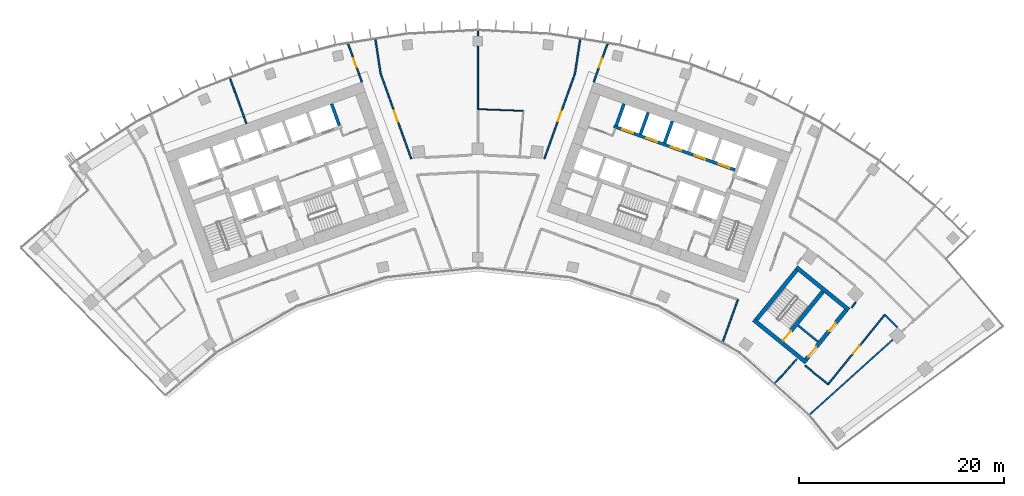
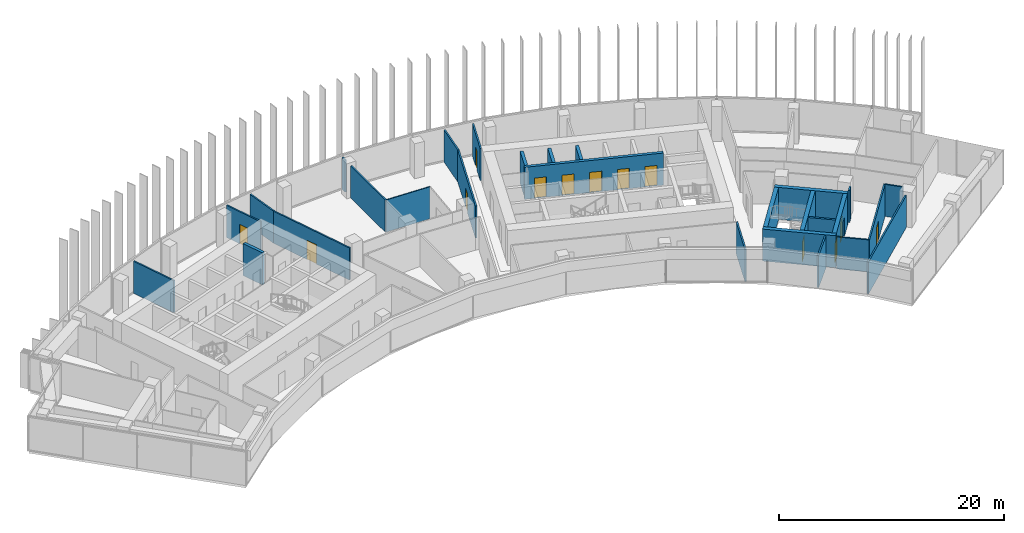
# One storey, part 16 of 19: 28 walls, 13 doors, 13 openings.
"""IFC4 building model written with IfcOpenShell, lengths in metres."""

from ifc_helpers import new_model, si_unit, direction, frame, frame_2d, origin, place, context, subcontext, project, spatial, rectangle, extrude, material, layer, layer_set, type_object, element, fill, save


model = new_model("IFC4")

# Units and contexts
model_context = context("Model", 3, precision=1e-05, world=origin(), true_north=direction((0.0, 1.0)))
body_context = subcontext(model_context, "Body", "Model", "MODEL_VIEW")
ifc_project = project(units=[si_unit("LENGTHUNIT", "METRE"), si_unit("AREAUNIT", "SQUARE_METRE"), si_unit("VOLUMEUNIT", "CUBIC_METRE"), si_unit("PLANEANGLEUNIT", "RADIAN"), si_unit("MASSUNIT", "GRAM", prefix="KILO")], contexts=[model_context])

# Site, building, storey
site_placement = place(None, origin())
site = spatial("IfcSite", under=ifc_project, at=site_placement, CompositionType="ELEMENT")
building_placement = place(site_placement, origin())
building = spatial("IfcBuilding", under=site, at=building_placement, Name="Stone Belt Terrace Tower", CompositionType="ELEMENT")
storey_placement = place(building_placement, frame((0.0, 0.0, 223.800048828125)))
storey = spatial("IfcBuildingStorey", under=building, at=storey_placement, Name="L54", CompositionType="ELEMENT", Elevation=223.800048828125)

# Wall
ifc_material_1 = material(Name="Concrete B80", Category="concrete")
ifc_layer_1 = layer(ifc_material_1, 0.300048828125)
ifc_layer_set_1 = layer_set([ifc_layer_1], Name="Lift shaft wall 300")
wall_type_1 = type_object("IfcWallType", Name="Lift shaft wall 300", PredefinedType="SHEAR", material=ifc_layer_set_1)
wall_1_placement = place(storey_placement, frame((-13.48828125, 57.265625, 0.0), z_axis=(0.0, 0.0, 1.0), x_axis=(-0.338631098537, 0.940919220286, 0.0)))
element("IfcWall", 1, at=wall_1_placement, inside=storey, type_object=wall_type_1, Name="Core A wall", PredefinedType="SHEAR", context=body_context, shape_type="SweptSolid", body=[
    extrude(rectangle(XDim=2.250244140625, YDim=0.300048828125, at=frame_2d((1.125, 0.0))), origin(), (0.0, 0.0, 1.0), 3.47998046875),
])

# Wall, openings, doors
wall_2_placement = place(storey_placement, frame((25.05810546875, 52.9423828125, 0.0), z_axis=(0.0, 0.0, 1.0), x_axis=(-0.940921381676, 0.338625092847, 0.0)))
wall_2 = element("IfcWall", 2, at=wall_2_placement, inside=storey, type_object=wall_type_1, Name="Core B wall", PredefinedType="SHEAR", context=body_context, shape_type="SweptSolid", body=[
    extrude(rectangle(XDim=12.550048828125, YDim=0.300048828125, at=frame_2d((6.27490234375, 0.0))), origin(), (0.0, 0.0, 1.0), 3.47998046875),
])
opening_1_placement = place(wall_2_placement, frame((0.570068359375, 0.0, 0.0)))
opening_1 = element("IfcOpeningElement", 3, at=opening_1_placement, cuts=wall_2, Name="Opening L54-LD09", PredefinedType="OPENING", context=body_context, shape_type="SweptSolid", body=[
    extrude(rectangle(XDim=1.10009765625, YDim=2.199951171875, at=frame_2d((0.550048828125, 1.10009765625))), frame((0.0, 0.159912109375, 0.0), z_axis=(0.0, -1.0, 0.0), x_axis=(1.0, 0.0, 0.0)), (0.0, 0.0, 1.0), 0.320068359375),
])
opening_2_placement = place(wall_2_placement, frame((3.070068359375, 0.0, 0.0)))
opening_2 = element("IfcOpeningElement", 4, at=opening_2_placement, cuts=wall_2, Name="Opening L54-LD10", PredefinedType="OPENING", context=body_context, shape_type="SweptSolid", body=[
    extrude(rectangle(XDim=1.10009765625, YDim=2.199951171875, at=frame_2d((0.550048828125, 1.10009765625))), frame((0.0, 0.159912109375, 0.0), z_axis=(0.0, -1.0, 0.0), x_axis=(1.0, 0.0, 0.0)), (0.0, 0.0, 1.0), 0.320068359375),
])
opening_3_placement = place(wall_2_placement, frame((5.570068359375, 0.0, 0.0)))
opening_3 = element("IfcOpeningElement", 5, at=opening_3_placement, cuts=wall_2, Name="Opening L54-LD11", PredefinedType="OPENING", context=body_context, shape_type="SweptSolid", body=[
    extrude(rectangle(XDim=1.10009765625, YDim=2.199951171875, at=frame_2d((0.550048828125, 1.10009765625))), frame((0.0, 0.159912109375, 0.0), z_axis=(0.0, -1.0, 0.0), x_axis=(1.0, 0.0, 0.0)), (0.0, 0.0, 1.0), 0.320068359375),
])
opening_4_placement = place(wall_2_placement, frame((8.070068359375, 0.0, 0.0)))
opening_4 = element("IfcOpeningElement", 6, at=opening_4_placement, cuts=wall_2, Name="Opening L54-LD12", PredefinedType="OPENING", context=body_context, shape_type="SweptSolid", body=[
    extrude(rectangle(XDim=1.10009765625, YDim=2.199951171875, at=frame_2d((0.550048828125, 1.10009765625))), frame((0.0, 0.159912109375, 0.0), z_axis=(0.0, -1.0, 0.0), x_axis=(1.0, 0.0, 0.0)), (0.0, 0.0, 1.0), 0.320068359375),
])
opening_5_placement = place(wall_2_placement, frame((10.570068359375, 0.0, 0.0)))
opening_5 = element("IfcOpeningElement", 7, at=opening_5_placement, cuts=wall_2, Name="Opening L54-LD13", PredefinedType="OPENING", context=body_context, shape_type="SweptSolid", body=[
    extrude(rectangle(XDim=1.10009765625, YDim=2.199951171875, at=frame_2d((0.550048828125, 1.10009765625))), frame((0.0, 0.159912109375, 0.0), z_axis=(0.0, -1.0, 0.0), x_axis=(1.0, 0.0, 0.0)), (0.0, 0.0, 1.0), 0.320068359375),
])
ifc_material_2 = material(Name="Stainless steel door leaf", Category="steel")
door_type_1 = type_object("IfcDoorType", Name="Landing door 1100", OperationType="SLIDING_TO_LEFT", PredefinedType="DOOR", material=ifc_material_2)
door_1_placement = place(opening_1_placement, origin())
door_1 = element("IfcDoor", 8, at=door_1_placement, inside=storey, type_object=door_type_1, Name="Landing door MR1 core B", OperationType="SLIDING_TO_LEFT", OverallHeight=2.199951171875, OverallWidth=1.10009765625, PredefinedType="DOOR", context=body_context, shape_type="SweptSolid", body=[
    extrude(rectangle(XDim=1.10009765625, YDim=2.199951171875, at=frame_2d((0.550048828125, 1.10009765625))), frame((0.0, 0.02490234375, 0.0), z_axis=(0.0, -1.0, 0.0), x_axis=(1.0, 0.0, 0.0)), (0.0, 0.0, 1.0), 0.050048828125),
])
fill(opening_1, door_1)
door_2_placement = place(opening_2_placement, origin())
door_2 = element("IfcDoor", 9, at=door_2_placement, inside=storey, type_object=door_type_1, Name="Landing door MR2 core B", OperationType="SLIDING_TO_LEFT", OverallHeight=2.199951171875, OverallWidth=1.10009765625, PredefinedType="DOOR", context=body_context, shape_type="SweptSolid", body=[
    extrude(rectangle(XDim=1.10009765625, YDim=2.199951171875, at=frame_2d((0.550048828125, 1.10009765625))), frame((0.0, 0.02490234375, 0.0), z_axis=(0.0, -1.0, 0.0), x_axis=(1.0, 0.0, 0.0)), (0.0, 0.0, 1.0), 0.050048828125),
])
fill(opening_2, door_2)
door_3_placement = place(opening_3_placement, origin())
door_3 = element("IfcDoor", 10, at=door_3_placement, inside=storey, type_object=door_type_1, Name="Landing door MR3 core B", OperationType="SLIDING_TO_LEFT", OverallHeight=2.199951171875, OverallWidth=1.10009765625, PredefinedType="DOOR", context=body_context, shape_type="SweptSolid", body=[
    extrude(rectangle(XDim=1.10009765625, YDim=2.199951171875, at=frame_2d((0.550048828125, 1.10009765625))), frame((0.0, 0.02490234375, 0.0), z_axis=(0.0, -1.0, 0.0), x_axis=(1.0, 0.0, 0.0)), (0.0, 0.0, 1.0), 0.050048828125),
])
fill(opening_3, door_3)
door_4_placement = place(opening_4_placement, origin())
door_4 = element("IfcDoor", 11, at=door_4_placement, inside=storey, type_object=door_type_1, Name="Landing door MR4 core B", OperationType="SLIDING_TO_LEFT", OverallHeight=2.199951171875, OverallWidth=1.10009765625, PredefinedType="DOOR", context=body_context, shape_type="SweptSolid", body=[
    extrude(rectangle(XDim=1.10009765625, YDim=2.199951171875, at=frame_2d((0.550048828125, 1.10009765625))), frame((0.0, 0.02490234375, 0.0), z_axis=(0.0, -1.0, 0.0), x_axis=(1.0, 0.0, 0.0)), (0.0, 0.0, 1.0), 0.050048828125),
])
fill(opening_4, door_4)
door_5_placement = place(opening_5_placement, origin())
door_5 = element("IfcDoor", 12, at=door_5_placement, inside=storey, type_object=door_type_1, Name="Landing door MR5 core B", OperationType="SLIDING_TO_LEFT", OverallHeight=2.199951171875, OverallWidth=1.10009765625, PredefinedType="DOOR", context=body_context, shape_type="SweptSolid", body=[
    extrude(rectangle(XDim=1.10009765625, YDim=2.199951171875, at=frame_2d((0.550048828125, 1.10009765625))), frame((0.0, 0.02490234375, 0.0), z_axis=(0.0, -1.0, 0.0), x_axis=(1.0, 0.0, 0.0)), (0.0, 0.0, 1.0), 0.050048828125),
])
fill(opening_5, door_5)

# Walls
wall_3_placement = place(storey_placement, frame((18.193115234375, 55.572509765625, 0.0), z_axis=(0.0, 0.0, 1.0), x_axis=(0.338535034312, 0.940953787677, 0.0)))
element("IfcWall", 13, at=wall_3_placement, inside=storey, type_object=wall_type_1, Name="Core B wall", PredefinedType="SHEAR", context=body_context, shape_type="SweptSolid", body=[
    extrude(rectangle(XDim=2.25, YDim=0.300048828125, at=frame_2d((1.125, 0.0))), origin(), (0.0, 0.0, 1.0), 3.47998046875),
])
wall_4_placement = place(storey_placement, frame((15.8408203125, 56.419189453125, 0.0), z_axis=(0.0, 0.0, 1.0), x_axis=(0.338569601369, 0.940941350472, 0.0)))
element("IfcWall", 14, at=wall_4_placement, inside=storey, type_object=wall_type_1, Name="Core B wall", PredefinedType="SHEAR", context=body_context, shape_type="SweptSolid", body=[
    extrude(rectangle(XDim=2.249755859375, YDim=0.300048828125, at=frame_2d((1.125, 0.0))), origin(), (0.0, 0.0, 1.0), 3.47998046875),
])
wall_5_placement = place(storey_placement, frame((13.48828125, 57.265625, 0.0), z_axis=(0.0, 0.0, 1.0), x_axis=(0.338631098537, 0.940919220286, 0.0)))
element("IfcWall", 15, at=wall_5_placement, inside=storey, type_object=wall_type_1, Name="Core B wall", PredefinedType="SHEAR", context=body_context, shape_type="SweptSolid", body=[
    extrude(rectangle(XDim=2.250244140625, YDim=0.300048828125, at=frame_2d((1.125, 0.0))), origin(), (0.0, 0.0, 1.0), 3.47998046875),
])
ifc_material_3 = material(Name="Gypsum board partition")
ifc_layer_2 = layer(ifc_material_3, 0.10009765625)
ifc_layer_set_2 = layer_set([ifc_layer_2], Name="PARTITION 100")
wall_type_2 = type_object("IfcWallType", Name="PARTITION 100", PredefinedType="PARTITIONING", material=ifc_layer_set_2)
wall_6_placement = place(storey_placement, frame((4.431884765625, 58.697998046875, 0.0), z_axis=(0.0, 0.0, 1.0), x_axis=(-0.999290874264, 0.037653002699, 0.0)))
element("IfcWall", 16, at=wall_6_placement, inside=storey, type_object=wall_type_2, Name="L54/wall/i082", PredefinedType="PARTITIONING", context=body_context, shape_type="SweptSolid", body=[
    extrude(rectangle(XDim=4.43505859375, YDim=0.10009765625, at=frame_2d((2.217529296875, 0.0))), origin(), (0.0, 0.0, 1.0), 3.47998046875),
])

# Wall, opening, door
ifc_layer_3 = layer(ifc_material_3, 0.14990234375)
ifc_layer_set_3 = layer_set([ifc_layer_3], Name="PARTITION 150 EI 60")
wall_type_3 = type_object("IfcWallType", Name="PARTITION 150 EI 60", PredefinedType="PARTITIONING", material=ifc_layer_set_3)
wall_7_placement = place(storey_placement, frame((-11.2958984375, 61.509033203125, 0.0), z_axis=(0.0, 0.0, 1.0), x_axis=(-0.338610223579, 0.940926732795, 0.0)))
wall_7 = element("IfcWall", 17, at=wall_7_placement, inside=storey, type_object=wall_type_3, Name="L54/wall/i008", PredefinedType="PARTITIONING", context=body_context, shape_type="SweptSolid", body=[
    extrude(rectangle(XDim=3.956787109375, YDim=0.14990234375, at=frame_2d((1.978515625, 0.0))), origin(), (0.0, 0.0, 1.0), 3.47998046875),
])
opening_6_placement = place(wall_7_placement, frame((1.5283203125, 0.0, 0.0)))
opening_6 = element("IfcOpeningElement", 18, at=opening_6_placement, cuts=wall_7, Name="Opening D-D3-04", PredefinedType="OPENING", context=body_context, shape_type="SweptSolid", body=[
    extrude(rectangle(XDim=0.89990234375, YDim=2.10009765625, at=frame_2d((0.449951171875, 1.050048828125))), frame((0.0, 0.0849609375, 0.0), z_axis=(0.0, -1.0, 0.0), x_axis=(1.0, 0.0, 0.0)), (0.0, 0.0, 1.0), 0.169921875),
])
ifc_material_4 = material(Name="Timber door leaf", Category="wood")
door_type_2 = type_object("IfcDoorType", Name="OFFICE DOOR 900 X 2100", OperationType="NOTDEFINED", PredefinedType="DOOR", material=ifc_material_4)
door_6_placement = place(opening_6_placement, origin())
door_6 = element("IfcDoor", 19, at=door_6_placement, inside=storey, type_object=door_type_2, Name="L54/door/i04", OperationType="SINGLE_SWING_RIGHT", OverallHeight=2.10009765625, OverallWidth=0.89990234375, PredefinedType="DOOR", context=body_context, shape_type="SweptSolid", body=[
    extrude(rectangle(XDim=0.89990234375, YDim=2.10009765625, at=frame_2d((0.449951171875, 1.050048828125))), frame((0.0, 0.02490234375, 0.0), z_axis=(0.0, -1.0, 0.0), x_axis=(1.0, 0.0, 0.0)), (0.0, 0.0, 1.0), 0.050048828125),
])
fill(opening_6, door_6)

# Wall
wall_8_placement = place(storey_placement, frame((-9.971923828125, 65.65576171875, 0.0), z_axis=(0.0, 0.0, 1.0), x_axis=(0.150154488208, -0.988662545903, 0.0)))
element("IfcWall", 20, at=wall_8_placement, inside=storey, type_object=wall_type_3, Name="L54/wall/i010", PredefinedType="PARTITIONING", context=body_context, shape_type="SweptSolid", body=[
    extrude(rectangle(XDim=3.35595703125, YDim=0.14990234375, at=frame_2d((1.677978515625, 0.0))), origin(), (0.0, 0.0, 1.0), 3.47998046875),
])

# Wall, opening, door
wall_9_placement = place(storey_placement, frame((-9.468017578125, 62.3369140625, 0.0), z_axis=(0.0, 0.0, 1.0), x_axis=(0.338603075024, -0.940929305307, 0.0)))
wall_9 = element("IfcWall", 21, at=wall_9_placement, inside=storey, type_object=wall_type_3, Name="L54/wall/i011", PredefinedType="PARTITIONING", context=body_context, shape_type="SweptSolid", body=[
    extrude(rectangle(XDim=8.839111328125, YDim=0.14990234375, at=frame_2d((4.41943359375, 0.0))), origin(), (0.0, 0.0, 1.0), 3.47998046875),
])
opening_7_placement = place(wall_9_placement, frame((3.86962890625, 0.0, 0.0)))
opening_7 = element("IfcOpeningElement", 22, at=opening_7_placement, cuts=wall_9, Name="Opening D-D3-25", PredefinedType="OPENING", context=body_context, shape_type="SweptSolid", body=[
    extrude(rectangle(XDim=1.10009765625, YDim=2.10009765625, at=frame_2d((0.550048828125, 1.050048828125))), frame((0.0, 0.0849609375, 0.0), z_axis=(0.0, -1.0, 0.0), x_axis=(1.0, 0.0, 0.0)), (0.0, 0.0, 1.0), 0.169921875),
])
ifc_material_5 = material(Name="Steel fire door set", Category="steel")
door_type_3 = type_object("IfcDoorType", Name="SERVICE ROOM DOOR 1100 X 2100", OperationType="NOTDEFINED", PredefinedType="DOOR", material=ifc_material_5)
door_7_placement = place(opening_7_placement, origin())
door_7 = element("IfcDoor", 23, at=door_7_placement, inside=storey, type_object=door_type_3, Name="L54/door/i25", OperationType="SINGLE_SWING_LEFT", OverallHeight=2.10009765625, OverallWidth=1.10009765625, PredefinedType="DOOR", context=body_context, shape_type="SweptSolid", body=[
    extrude(rectangle(XDim=1.10009765625, YDim=2.10009765625, at=frame_2d((0.550048828125, 1.050048828125))), frame((0.0, 0.02490234375, 0.0), z_axis=(0.0, -1.0, 0.0), x_axis=(1.0, 0.0, 0.0)), (0.0, 0.0, 1.0), 0.050048828125),
])
fill(opening_7, door_7)

# Wall
wall_10_placement = place(storey_placement, frame((-24.1337890625, 61.869140625, 0.0), z_axis=(0.0, 0.0, 1.0), x_axis=(0.338599546383, -0.940930575116, 0.0)))
element("IfcWall", 24, at=wall_10_placement, inside=storey, type_object=wall_type_3, Name="L54/wall/i015", PredefinedType="PARTITIONING", context=body_context, shape_type="SweptSolid", body=[
    extrude(rectangle(XDim=4.68603515625, YDim=0.14990234375, at=frame_2d((2.343017578125, 0.0))), origin(), (0.0, 0.0, 1.0), 3.47998046875),
])

# Wall, opening, door
wall_11_placement = place(storey_placement, frame((12.6357421875, 65.232177734375, 0.0), z_axis=(0.0, 0.0, 1.0), x_axis=(-0.338610223579, -0.940926732795, 0.0)))
wall_11 = element("IfcWall", 25, at=wall_11_placement, inside=storey, type_object=wall_type_3, Name="L54/wall/i017", PredefinedType="PARTITIONING", context=body_context, shape_type="SweptSolid", body=[
    extrude(rectangle(XDim=3.956787109375, YDim=0.14990234375, at=frame_2d((1.978515625, 0.0))), origin(), (0.0, 0.0, 1.0), 3.47998046875),
])
opening_8_placement = place(wall_11_placement, frame((1.5283203125, 0.0, 0.0)))
opening_8 = element("IfcOpeningElement", 26, at=opening_8_placement, cuts=wall_11, Name="Opening D-D3-07", PredefinedType="OPENING", context=body_context, shape_type="SweptSolid", body=[
    extrude(rectangle(XDim=0.89990234375, YDim=2.10009765625, at=frame_2d((0.449951171875, 1.050048828125))), frame((0.0, 0.0849609375, 0.0), z_axis=(0.0, -1.0, 0.0), x_axis=(1.0, 0.0, 0.0)), (0.0, 0.0, 1.0), 0.169921875),
])
door_8_placement = place(opening_8_placement, origin())
door_8 = element("IfcDoor", 27, at=door_8_placement, inside=storey, type_object=door_type_2, Name="L54/door/i07", OperationType="SINGLE_SWING_RIGHT", OverallHeight=2.10009765625, OverallWidth=0.89990234375, PredefinedType="DOOR", context=body_context, shape_type="SweptSolid", body=[
    extrude(rectangle(XDim=0.89990234375, YDim=2.10009765625, at=frame_2d((0.449951171875, 1.050048828125))), frame((0.0, 0.02490234375, 0.0), z_axis=(0.0, -1.0, 0.0), x_axis=(1.0, 0.0, 0.0)), (0.0, 0.0, 1.0), 0.050048828125),
])
fill(opening_8, door_8)

wall_12_placement = place(storey_placement, frame((6.47509765625, 54.02001953125, 0.0), z_axis=(0.0, 0.0, 1.0), x_axis=(0.338603075024, 0.940929305307, 0.0)))
wall_12 = element("IfcWall", 28, at=wall_12_placement, inside=storey, type_object=wall_type_3, Name="L54/wall/i019", PredefinedType="PARTITIONING", context=body_context, shape_type="SweptSolid", body=[
    extrude(rectangle(XDim=8.839111328125, YDim=0.14990234375, at=frame_2d((4.41943359375, 0.0))), origin(), (0.0, 0.0, 1.0), 3.47998046875),
])
opening_9_placement = place(wall_12_placement, frame((3.919677734375, 0.0, 0.0)))
opening_9 = element("IfcOpeningElement", 29, at=opening_9_placement, cuts=wall_12, Name="Opening D-D3-26", PredefinedType="OPENING", context=body_context, shape_type="SweptSolid", body=[
    extrude(rectangle(XDim=1.0, YDim=2.10009765625, at=frame_2d((0.5, 1.050048828125))), frame((0.0, 0.0849609375, 0.0), z_axis=(0.0, -1.0, 0.0), x_axis=(1.0, 0.0, 0.0)), (0.0, 0.0, 1.0), 0.169921875),
])
ifc_material_6 = material(Name="Timber fire door leaf", Category="wood")
door_type_4 = type_object("IfcDoorType", Name="TENANCY ENTRANCE DOOR 1000 X 2100", OperationType="NOTDEFINED", PredefinedType="DOOR", material=ifc_material_6)
door_9_placement = place(opening_9_placement, origin())
door_9 = element("IfcDoor", 30, at=door_9_placement, inside=storey, type_object=door_type_4, Name="L54/door/i26", OperationType="SINGLE_SWING_RIGHT", OverallHeight=2.10009765625, OverallWidth=1.0, PredefinedType="DOOR", context=body_context, shape_type="SweptSolid", body=[
    extrude(rectangle(XDim=1.0, YDim=2.10009765625, at=frame_2d((0.5, 1.050048828125))), frame((0.0, 0.02490234375, 0.0), z_axis=(0.0, -1.0, 0.0), x_axis=(1.0, 0.0, 0.0)), (0.0, 0.0, 1.0), 0.050048828125),
])
fill(opening_9, door_9)

# Walls
wall_13_placement = place(storey_placement, frame((9.468017578125, 62.337890625, 0.0), z_axis=(0.0, 0.0, 1.0), x_axis=(0.150154488208, 0.988662545903, 0.0)))
element("IfcWall", 31, at=wall_13_placement, inside=storey, type_object=wall_type_3, Name="L54/wall/i020", PredefinedType="PARTITIONING", context=body_context, shape_type="SweptSolid", body=[
    extrude(rectangle(XDim=3.35595703125, YDim=0.14990234375, at=frame_2d((1.677978515625, 0.0))), origin(), (0.0, 0.0, 1.0), 3.47998046875),
])
wall_14_placement = place(storey_placement, frame((23.860107421875, 36.1787109375, 0.0), z_axis=(0.0, 0.0, 1.0), x_axis=(0.338603151709, 0.94092927771, 0.0)))
element("IfcWall", 32, at=wall_14_placement, inside=storey, type_object=wall_type_3, Name="L54/wall/i021", PredefinedType="PARTITIONING", context=body_context, shape_type="SweptSolid", body=[
    extrude(rectangle(XDim=4.38525390625, YDim=0.14990234375, at=frame_2d((2.192626953125, 0.0))), origin(), (0.0, 0.0, 1.0), 3.47998046875),
])
wall_15_placement = place(storey_placement, frame((31.054931640625, 34.489990234375, 0.0), z_axis=(0.0, 0.0, 1.0), x_axis=(-0.669118910745, -0.743155356089, 0.0)))
element("IfcWall", 33, at=wall_15_placement, inside=storey, type_object=wall_type_3, Name="L54/wall/i024", PredefinedType="PARTITIONING", context=body_context, shape_type="SweptSolid", body=[
    extrude(rectangle(XDim=3.149169921875, YDim=0.14990234375, at=frame_2d((1.57470703125, 0.0))), origin(), (0.0, 0.0, 1.0), 3.47998046875),
])
wall_16_placement = place(storey_placement, frame((32.32666015625, 29.107177734375, 0.0), z_axis=(0.0, 0.0, 1.0), x_axis=(0.743123646352, 0.669154127412, 0.0)))
element("IfcWall", 34, at=wall_16_placement, inside=storey, type_object=wall_type_3, Name="L54/wall/i048", PredefinedType="PARTITIONING", context=body_context, shape_type="SweptSolid", body=[
    extrude(rectangle(XDim=10.89501953125, YDim=0.14990234375, at=frame_2d((5.447509765625, 0.0))), origin(), (0.0, 0.0, 1.0), 3.47998046875),
])
wall_17_placement = place(storey_placement, frame((40.871826171875, 37.615234375, 0.0), z_axis=(0.0, 0.0, 1.0), x_axis=(-0.707176795224, 0.707036760216, 0.0)))
element("IfcWall", 35, at=wall_17_placement, inside=storey, type_object=wall_type_3, Name="L54/wall/i053", PredefinedType="PARTITIONING", context=body_context, shape_type="SweptSolid", body=[
    extrude(rectangle(XDim=1.743408203125, YDim=0.14990234375, at=frame_2d((0.87158203125, 0.0))), origin(), (0.0, 0.0, 1.0), 3.47998046875),
])
wall_18_placement = place(storey_placement, frame((36.406005859375, 39.537109375, 0.0), z_axis=(0.0, 0.0, 1.0), x_axis=(0.630325485788, 0.776330974499, 0.0)))
element("IfcWall", 36, at=wall_18_placement, inside=storey, type_object=wall_type_3, Name="L54/wall/i057", PredefinedType="PARTITIONING", context=body_context, shape_type="SweptSolid", body=[
    extrude(rectangle(XDim=0.65380859375, YDim=0.14990234375, at=frame_2d((0.326904296875, 0.0))), origin(), (0.0, 0.0, 1.0), 3.47998046875),
])

# Wall, opening, door
wall_19_placement = place(storey_placement, frame((39.64306640625, 38.843994140625, 0.0), z_axis=(0.0, 0.0, 1.0), x_axis=(-0.630226712005, -0.776411161354, 0.0)))
wall_19 = element("IfcWall", 37, at=wall_19_placement, inside=storey, type_object=wall_type_3, Name="L54/wall/i058", PredefinedType="PARTITIONING", context=body_context, shape_type="SweptSolid", body=[
    extrude(rectangle(XDim=8.742919921875, YDim=0.14990234375, at=frame_2d((4.37158203125, 0.0))), origin(), (0.0, 0.0, 1.0), 3.47998046875),
])
opening_10_placement = place(wall_19_placement, frame((3.871337890625, 0.0, 0.0)))
opening_10 = element("IfcOpeningElement", 38, at=opening_10_placement, cuts=wall_19, Name="Opening D-D3-18", PredefinedType="OPENING", context=body_context, shape_type="SweptSolid", body=[
    extrude(rectangle(XDim=1.0, YDim=2.10009765625, at=frame_2d((0.5, 1.050048828125))), frame((0.0, 0.0849609375, 0.0), z_axis=(0.0, -1.0, 0.0), x_axis=(1.0, 0.0, 0.0)), (0.0, 0.0, 1.0), 0.169921875),
])
door_10_placement = place(opening_10_placement, origin())
door_10 = element("IfcDoor", 39, at=door_10_placement, inside=storey, type_object=door_type_4, Name="L54/door/i18", OperationType="SINGLE_SWING_RIGHT", OverallHeight=2.10009765625, OverallWidth=1.0, PredefinedType="DOOR", context=body_context, shape_type="SweptSolid", body=[
    extrude(rectangle(XDim=1.0, YDim=2.10009765625, at=frame_2d((0.5, 1.050048828125))), frame((0.0, 0.02490234375, 0.0), z_axis=(0.0, -1.0, 0.0), x_axis=(1.0, 0.0, 0.0)), (0.0, 0.0, 1.0), 0.050048828125),
])
fill(opening_10, door_10)

# Walls
wall_20_placement = place(storey_placement, frame((34.133056640625, 32.055908203125, 0.0), z_axis=(0.0, 0.0, 1.0), x_axis=(-0.776369956068, 0.630277471686, 0.0)))
element("IfcWall", 40, at=wall_20_placement, inside=storey, type_object=wall_type_3, Name="L54/wall/i059", PredefinedType="PARTITIONING", context=body_context, shape_type="SweptSolid", body=[
    extrude(rectangle(XDim=2.8876953125, YDim=0.14990234375, at=frame_2d((1.44384765625, 0.0))), origin(), (0.0, 0.0, 1.0), 3.47998046875),
])
wall_21_placement = place(storey_placement, frame((0.0, 66.5, 0.0), z_axis=(0.0, 0.0, 1.0), x_axis=(0.0, -1.0, 0.0)))
element("IfcWall", 41, at=wall_21_placement, inside=storey, type_object=wall_type_3, Name="L54/wall/i078", PredefinedType="PARTITIONING", context=body_context, shape_type="SweptSolid", body=[
    extrude(rectangle(XDim=0.506103515625, YDim=0.14990234375, at=frame_2d((0.2529296875, 0.0))), origin(), (0.0, 0.0, 1.0), 3.47998046875),
])
wall_22_placement = place(storey_placement, frame((0.0, 64.98388671875, 0.0), z_axis=(0.0, 0.0, 1.0), x_axis=(0.0, -1.0, 0.0)))
element("IfcWall", 42, at=wall_22_placement, inside=storey, type_object=wall_type_3, Name="L54/wall/i079", PredefinedType="PARTITIONING", context=body_context, shape_type="SweptSolid", body=[
    extrude(rectangle(XDim=6.125, YDim=0.14990234375, at=frame_2d((3.0625, 0.0))), origin(), (0.0, 0.0, 1.0), 3.47998046875),
])
ifc_material_7 = material(Name="Concrete masonry block", Category="masonry")
ifc_layer_4 = layer(ifc_material_7, 0.199951171875)
ifc_layer_set_4 = layer_set([ifc_layer_4], Name="Rated lobby wall 200")
wall_type_4 = type_object("IfcWallType", Name="Rated lobby wall 200", PredefinedType="PARTITIONING", material=ifc_layer_set_4)
wall_23_placement = place(storey_placement, frame((31.190673828125, 37.79296875, 0.0), z_axis=(0.0, 0.0, 1.0), x_axis=(0.776370830301, -0.630276394813, 0.0)))
element("IfcWall", 43, at=wall_23_placement, inside=storey, type_object=wall_type_4, Name="Exit stair ST3B wall", PredefinedType="PARTITIONING", context=body_context, shape_type="SweptSolid", body=[
    extrude(rectangle(XDim=2.5, YDim=0.199951171875, at=frame_2d((1.25, 0.0))), origin(), (0.0, 0.0, 1.0), 3.47998046875),
])
ifc_layer_5 = layer(ifc_material_1, 0.39990234375)
ifc_layer_set_5 = layer_set([ifc_layer_5], Name="Stair enclosure wall 400")
wall_type_5 = type_object("IfcWallType", Name="Stair enclosure wall 400", PredefinedType="SHEAR", material=ifc_layer_set_5)
wall_24_placement = place(storey_placement, frame((26.868408203125, 38.3388671875, 0.0), z_axis=(0.0, 0.0, 1.0), x_axis=(0.776428452498, -0.630205409491, 0.0)))
element("IfcWall", 44, at=wall_24_placement, inside=storey, type_object=wall_type_5, Name="Exit stair ST3B wall", PredefinedType="SHEAR", context=body_context, shape_type="SweptSolid", body=[
    extrude(rectangle(XDim=6.60009765625, YDim=0.39990234375, at=frame_2d((3.300048828125, 0.0))), origin(), (0.0, 0.0, 1.0), 3.47998046875),
])
wall_25_placement = place(storey_placement, frame((31.02783203125, 43.46337890625, 0.0), z_axis=(0.0, 0.0, 1.0), x_axis=(0.776413760801, -0.630223509589, 0.0)))
element("IfcWall", 45, at=wall_25_placement, inside=storey, type_object=wall_type_5, Name="Exit stair ST3B wall", PredefinedType="SHEAR", context=body_context, shape_type="SweptSolid", body=[
    extrude(rectangle(XDim=6.599853515625, YDim=0.39990234375, at=frame_2d((3.2998046875, 0.0))), origin(), (0.0, 0.0, 1.0), 3.47998046875),
])
wall_26_placement = place(storey_placement, frame((27.149658203125, 38.3681640625, 0.0), z_axis=(0.0, 0.0, 1.0), x_axis=(0.630211551729, 0.776423466973, 0.0)))
element("IfcWall", 46, at=wall_26_placement, inside=storey, type_object=wall_type_5, Name="Exit stair ST3B wall", PredefinedType="SHEAR", context=body_context, shape_type="SweptSolid", body=[
    extrude(rectangle(XDim=6.199951171875, YDim=0.39990234375, at=frame_2d((3.10009765625, 0.0))), origin(), (0.0, 0.0, 1.0), 3.47998046875),
])

# Wall, openings, doors
wall_27_placement = place(storey_placement, frame((31.963623046875, 34.460693359375, 0.0), z_axis=(0.0, 0.0, 1.0), x_axis=(0.630192283849, 0.776439106033, 0.0)))
wall_27 = element("IfcWall", 47, at=wall_27_placement, inside=storey, type_object=wall_type_5, Name="Exit stair ST3B wall", PredefinedType="SHEAR", context=body_context, shape_type="SweptSolid", body=[
    extrude(rectangle(XDim=6.199951171875, YDim=0.39990234375, at=frame_2d((3.10009765625, 0.0))), origin(), (0.0, 0.0, 1.0), 3.47998046875),
])
opening_11_placement = place(wall_27_placement, frame((0.39990234375, 0.0, 0.0)))
opening_11 = element("IfcOpeningElement", 48, at=opening_11_placement, cuts=wall_27, Name="Opening L54-C24", PredefinedType="OPENING", context=body_context, shape_type="SweptSolid", body=[
    extrude(rectangle(XDim=1.199951171875, YDim=2.10009765625, at=frame_2d((0.60009765625, 1.050048828125))), frame((0.0, 0.2099609375, 0.0), z_axis=(0.0, -1.0, 0.0), x_axis=(1.0, 0.0, 0.0)), (0.0, 0.0, 1.0), 0.419921875),
])
opening_12_placement = place(wall_27_placement, frame((3.60009765625, 0.0, 0.0)))
opening_12 = element("IfcOpeningElement", 49, at=opening_12_placement, cuts=wall_27, Name="Opening L54-C25", PredefinedType="OPENING", context=body_context, shape_type="SweptSolid", body=[
    extrude(rectangle(XDim=1.0, YDim=2.10009765625, at=frame_2d((0.5, 1.050048828125))), frame((0.0, 0.2099609375, 0.0), z_axis=(0.0, -1.0, 0.0), x_axis=(1.0, 0.0, 0.0)), (0.0, 0.0, 1.0), 0.419921875),
])
door_type_5 = type_object("IfcDoorType", Name="Core room door 1000", OperationType="SINGLE_SWING_LEFT", PredefinedType="DOOR", material=ifc_material_4)
door_11_placement = place(opening_12_placement, origin())
door_11 = element("IfcDoor", 50, at=door_11_placement, inside=storey, type_object=door_type_5, Name="Door to stair pressurisation plant room ST3B", OperationType="SINGLE_SWING_RIGHT", OverallHeight=2.10009765625, OverallWidth=1.0, PredefinedType="DOOR", context=body_context, shape_type="SweptSolid", body=[
    extrude(rectangle(XDim=1.0, YDim=2.10009765625, at=frame_2d((0.5, 1.050048828125))), frame((0.0, 0.02490234375, 0.0), z_axis=(0.0, -1.0, 0.0), x_axis=(1.0, 0.0, 0.0)), (0.0, 0.0, 1.0), 0.050048828125),
])
fill(opening_12, door_11)
ifc_material_8 = material(Name="Steel door leaf", Category="steel")
door_type_6 = type_object("IfcDoorType", Name="Stair airlock door 1200", OperationType="SINGLE_SWING_LEFT", PredefinedType="DOOR", material=ifc_material_8)
door_12_placement = place(opening_11_placement, origin())
door_12 = element("IfcDoor", 51, at=door_12_placement, inside=storey, type_object=door_type_6, Name="Stair airlock door ST3B", OperationType="SINGLE_SWING_RIGHT", OverallHeight=2.10009765625, OverallWidth=1.199951171875, PredefinedType="DOOR", context=body_context, shape_type="SweptSolid", body=[
    extrude(rectangle(XDim=1.199951171875, YDim=2.10009765625, at=frame_2d((0.60009765625, 1.050048828125))), frame((0.0, 0.02490234375, 0.0), z_axis=(0.0, -1.0, 0.0), x_axis=(1.0, 0.0, 0.0)), (0.0, 0.0, 1.0), 0.050048828125),
])
fill(opening_11, door_12)

# Wall, opening, door
wall_28_placement = place(storey_placement, frame((29.7119140625, 36.288330078125, 0.0), z_axis=(0.0, 0.0, 1.0), x_axis=(0.630192283849, 0.776439106033, 0.0)))
wall_28 = element("IfcWall", 52, at=wall_28_placement, inside=storey, type_object=wall_type_5, Name="Exit stair ST3B wall", PredefinedType="SHEAR", context=body_context, shape_type="SweptSolid", body=[
    extrude(rectangle(XDim=6.199951171875, YDim=0.39990234375, at=frame_2d((3.10009765625, 0.0))), origin(), (0.0, 0.0, 1.0), 3.47998046875),
])
opening_13_placement = place(wall_28_placement, frame((0.050048828125, 0.0, 0.0)))
opening_13 = element("IfcOpeningElement", 53, at=opening_13_placement, cuts=wall_28, Name="Opening L54-C23", PredefinedType="OPENING", context=body_context, shape_type="SweptSolid", body=[
    extrude(rectangle(XDim=1.199951171875, YDim=2.10009765625, at=frame_2d((0.60009765625, 1.050048828125))), frame((0.0, 0.2099609375, 0.0), z_axis=(0.0, -1.0, 0.0), x_axis=(1.0, 0.0, 0.0)), (0.0, 0.0, 1.0), 0.419921875),
])
door_type_7 = type_object("IfcDoorType", Name="Stair door 1200", OperationType="SINGLE_SWING_LEFT", PredefinedType="DOOR", material=ifc_material_8)
door_13_placement = place(opening_13_placement, origin())
door_13 = element("IfcDoor", 54, at=door_13_placement, inside=storey, type_object=door_type_7, Name="Stair door ST3B", OperationType="SINGLE_SWING_LEFT", OverallHeight=2.10009765625, OverallWidth=1.199951171875, PredefinedType="DOOR", context=body_context, shape_type="SweptSolid", body=[
    extrude(rectangle(XDim=1.199951171875, YDim=2.10009765625, at=frame_2d((0.60009765625, 1.050048828125))), frame((0.0, 0.02490234375, 0.0), z_axis=(0.0, -1.0, 0.0), x_axis=(1.0, 0.0, 0.0)), (0.0, 0.0, 1.0), 0.050048828125),
])
fill(opening_13, door_13)

save(model, "model.ifc")
